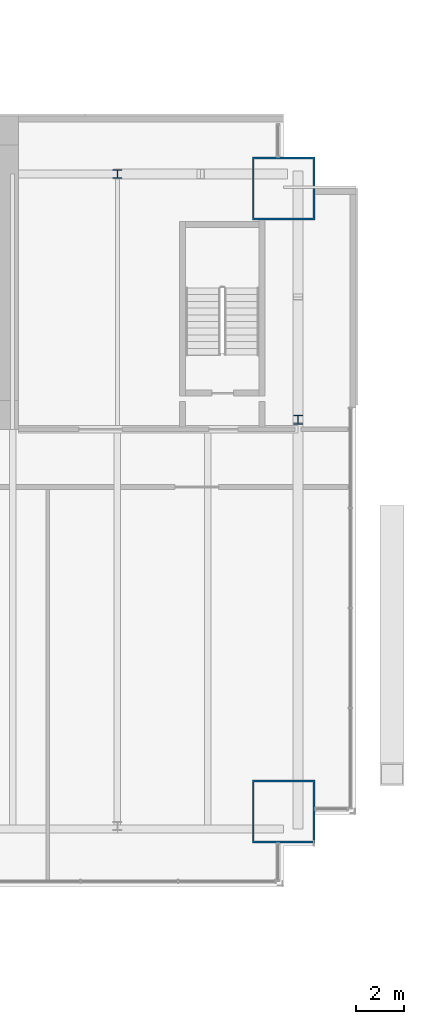
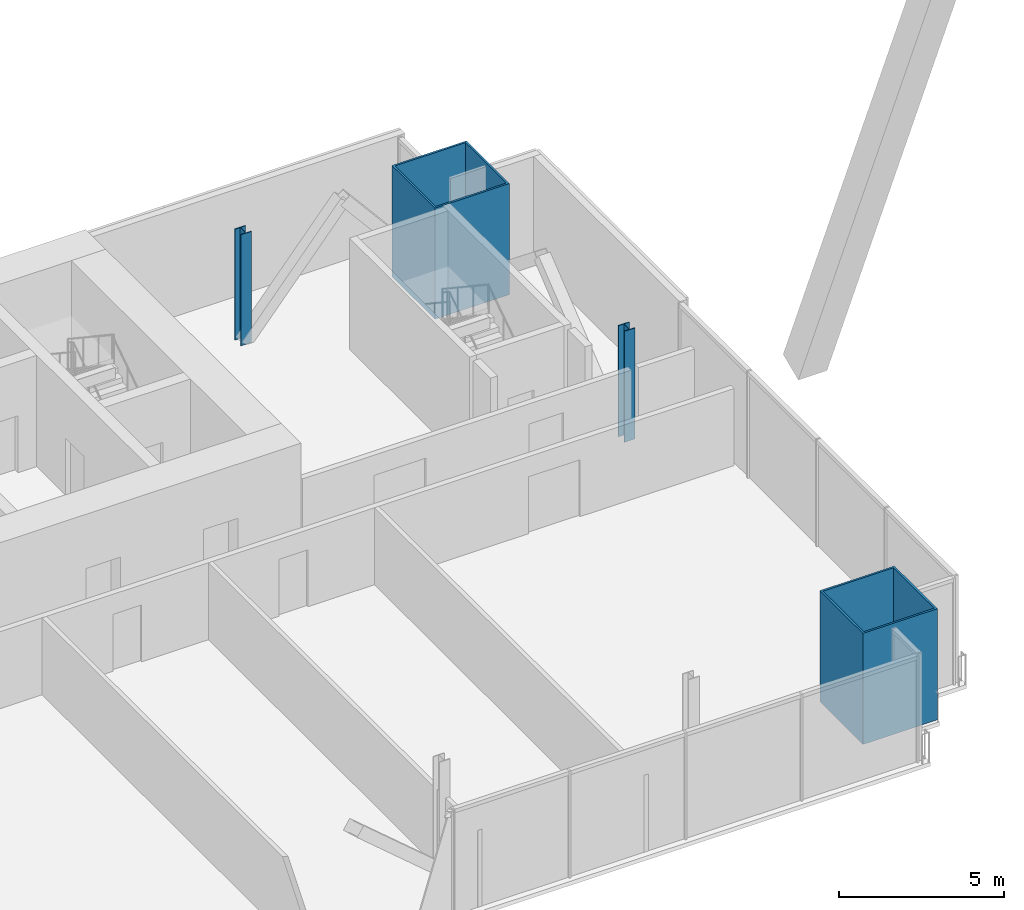
# One storey, part 4 of 24: 4 columns.
"""IFC4 building model written with IfcOpenShell, lengths in metres."""

import ifcopenshell
import ifcopenshell.guid

model = None  # the IFC model being written
_history = None  # IfcOwnerHistory: only IFC2X3 demands one
_inside = {}  # id of a spatial element -> (the spatial element, [elements in it])
_under = {}  # id of a project, library or spatial element -> (it, [spatial elements below it])
_declared = {}  # id of a project -> (the project, [libraries it declares])
_typed = {}  # id of a type object -> (the type object, [elements of that type])
_made_of = {}  # id of a material, layer set ... -> (it, [elements and type objects made of it])


def new_model(schema):
    """Start an empty IFC model of exactly this schema.

    Asked for "IFC4X3", IfcOpenShell would pick the latest addendum, in which some entities
    have other attributes; the version numbers below select the first issue.
    IFC2X3 requires an IfcOwnerHistory on every rooted entity: one is made here for all.
    """
    global model, _history
    if schema == "IFC4X3":
        model = ifcopenshell.file(schema_version=(4, 3, 0, 0))
    else:
        model = ifcopenshell.file(schema=schema)
    _inside.clear()
    _under.clear()
    _declared.clear()
    _typed.clear()
    _made_of.clear()
    _history = None
    if model.schema == "IFC2X3":
        org = make("IfcOrganization", Name="unknown")
        user = make(
            "IfcPersonAndOrganization",
            ThePerson=make("IfcPerson", FamilyName="unknown"),
            TheOrganization=org,
        )
        app = make(
            "IfcApplication",
            ApplicationDeveloper=org,
            Version="unknown",
            ApplicationFullName="unknown",
            ApplicationIdentifier="unknown",
        )
        _history = make(
            "IfcOwnerHistory",
            OwningUser=user,
            OwningApplication=app,
            ChangeAction="ADDED",
            CreationDate=0,
        )
    return model


def make(cls, **values):
    """One entity of the class cls with the attributes given. An attribute that is None is left unset."""
    return model.create_entity(
        cls, **{name: value for name, value in values.items() if value is not None}
    )


def rooted(cls, **values):
    """An entity with a GlobalId (a new one), such as an element, a storey or a relation."""
    return make(cls, GlobalId=ifcopenshell.guid.new(), OwnerHistory=_history, **values)


def si_unit(unit_type, name, prefix=None):
    """IfcSIUnit, for example si_unit("LENGTHUNIT", "METRE", prefix="MILLI")."""
    return make("IfcSIUnit", UnitType=unit_type, Prefix=prefix, Name=name)


def assignment(units):
    """IfcUnitAssignment: the units of a project."""
    return None if units is None else make("IfcUnitAssignment", Units=units)


def point(xyz):
    """IfcCartesianPoint."""
    return None if xyz is None else make("IfcCartesianPoint", Coordinates=xyz)


def direction(xyz):
    """IfcDirection."""
    return None if xyz is None else make("IfcDirection", DirectionRatios=xyz)


def frame(location, z_axis=None, x_axis=None):
    """IfcAxis2Placement3D, a coordinate frame: its origin and axes. An axis left out is left unset."""
    return make(
        "IfcAxis2Placement3D",
        Location=point(location),
        Axis=direction(z_axis),
        RefDirection=direction(x_axis),
    )


def frame_2d(location, x_axis=None):
    """IfcAxis2Placement2D, a coordinate frame in the plane: its origin and x axis."""
    return make(
        "IfcAxis2Placement2D", Location=point(location), RefDirection=direction(x_axis)
    )


def origin():
    """The frame at (0, 0, 0) with its axes left unset."""
    return frame((0.0, 0.0, 0.0))


def origin_2d():
    """The frame at (0, 0) in the plane with its x axis left unset."""
    return frame_2d((0.0, 0.0))


def place(relative_to, where):
    """IfcLocalPlacement: puts the frame where relative to a parent placement (None: the world)."""
    return make(
        "IfcLocalPlacement", PlacementRelTo=relative_to, RelativePlacement=where
    )


def context(
    kind, dimensions, precision=None, world=None, true_north=None, identifier=None
):
    """IfcGeometricRepresentationContext, for example the 3D "Model" context."""
    return make(
        "IfcGeometricRepresentationContext",
        ContextIdentifier=identifier,
        ContextType=kind,
        CoordinateSpaceDimension=dimensions,
        Precision=precision,
        WorldCoordinateSystem=world,
        TrueNorth=true_north,
    )


def subcontext(parent, identifier, kind, view, scale=None):
    """IfcGeometricRepresentationSubContext, for example "Body" below "Model"."""
    return make(
        "IfcGeometricRepresentationSubContext",
        ContextIdentifier=identifier,
        ContextType=kind,
        ParentContext=parent,
        TargetScale=scale,
        TargetView=view,
    )


def project(units=None, contexts=None):
    """IfcProject with its units and contexts."""
    return rooted(
        "IfcProject",
        Name="project",
        RepresentationContexts=contexts,
        UnitsInContext=assignment(units),
    )


def spatial(cls, under=None, at=None, **own):
    """A site, building, storey or space (cls), placed at a placement, below another one or the project."""
    s = rooted(cls, ObjectPlacement=at, **own)
    if under is not None:
        _under.setdefault(under.id(), (under, []))[1].append(s)
    return s


def profile(cls, at=None, kind="AREA", **sizes):
    """A parametric profile (cls). Its sizes go by their IFC names, for example OverallWidth=200.0."""
    return make(cls, ProfileType=kind, Position=at, **sizes)


def hollow_rectangle(**sizes):
    """IfcRectangleHollowProfileDef."""
    return profile("IfcRectangleHollowProfileDef", **sizes)


def i_section(**sizes):
    """IfcIShapeProfileDef."""
    return profile("IfcIShapeProfileDef", **sizes)


def extrude(swept, where, along, depth):
    """IfcExtrudedAreaSolid: the profile swept, set in the frame where, extruded along a direction by depth."""
    return make(
        "IfcExtrudedAreaSolid",
        SweptArea=swept,
        Position=where,
        ExtrudedDirection=direction(along),
        Depth=depth,
    )


def shape(context_of_items, identifier, shape_type, items):
    """IfcShapeRepresentation: the items that make up one representation, for example the "Body"."""
    return make(
        "IfcShapeRepresentation",
        ContextOfItems=context_of_items,
        RepresentationIdentifier=identifier,
        RepresentationType=shape_type,
        Items=items,
    )


def material(Name=None, Category=None):
    """IfcMaterial."""
    return make("IfcMaterial", Name=Name, Category=Category)


def material_profile(
    of_material, cross_section, Name=None, Category=None, Priority=None
):
    """IfcMaterialProfile: a cross section and its material."""
    return make(
        "IfcMaterialProfile",
        Name=Name,
        Material=of_material,
        Profile=cross_section,
        Priority=Priority,
        Category=Category,
    )


def profile_set(profiles, Name=None, composite=None):
    """IfcMaterialProfileSet."""
    return make(
        "IfcMaterialProfileSet",
        Name=Name,
        MaterialProfiles=profiles,
        CompositeProfile=composite,
    )


def made_of(thing, what):
    """Note that an element or type object is made of a material, layer set ...; save() writes the relation."""
    if what is not None:
        _made_of.setdefault(what.id(), (what, []))[1].append(thing)
    return thing


def type_object(cls, material=None, **own):
    """A type object (cls), such as IfcWallType, which elements share."""
    return made_of(rooted(cls, **own), material)


def element(
    cls,
    number,
    at=None,
    inside=None,
    cuts=None,
    type_object=None,
    material=None,
    context=None,
    identifier="Body",
    shape_type=None,
    held_by="IfcProductDefinitionShape",
    body=None,
    shapes=None,
    **own,
):
    """One element of the class cls, such as IfcWall. Its Tag is "e" and its number.

    at: its placement. inside: the storey or other place that contains it. cuts: it is an
    opening in that element (IfcRelVoidsElement). A single representation is given by context,
    identifier, shape_type and body (its items); several are given by shapes. held_by: the class
    of the entity that holds the representations. save() writes the other relations.
    """
    e = rooted(cls, Tag="e%d" % number, ObjectPlacement=at, **own)
    if body is not None:
        shapes = [shape(context, identifier, shape_type, body)]
    if shapes is not None:
        e.Representation = make(held_by, Representations=shapes)
    if inside is not None:
        _inside.setdefault(inside.id(), (inside, []))[1].append(e)
    if cuts is not None:
        rooted(
            "IfcRelVoidsElement", RelatingBuildingElement=cuts, RelatedOpeningElement=e
        )
    if type_object is not None:
        _typed.setdefault(type_object.id(), (type_object, []))[1].append(e)
    return made_of(e, material)


def aggregate(whole, parts):
    """IfcRelAggregates: a whole, such as a stair, and the parts it consists of."""
    return rooted("IfcRelAggregates", RelatingObject=whole, RelatedObjects=parts)


def save(model, path):
    """Write the relations noted so far, then the file.

    IfcRelAggregates (storeys below a building ...), IfcRelContainedInSpatialStructure (elements
    in a storey), IfcRelDefinesByType, IfcRelAssociatesMaterial and IfcRelDeclares: one each for
    every whole, place, type object, material and project.
    """
    for whole, parts in _under.values():
        aggregate(whole, parts)
    for where, things in _inside.values():
        rooted(
            "IfcRelContainedInSpatialStructure",
            RelatedElements=things,
            RelatingStructure=where,
        )
    for kind, things in _typed.values():
        rooted("IfcRelDefinesByType", RelatedObjects=things, RelatingType=kind)
    for what, things in _made_of.values():
        rooted("IfcRelAssociatesMaterial", RelatedObjects=things, RelatingMaterial=what)
    for by, libraries in _declared.values():
        rooted("IfcRelDeclares", RelatingContext=by, RelatedDefinitions=libraries)
    model.write(path)


model = new_model("IFC4")

# Units and contexts
model_context = context("Model", 3, precision=1e-05, world=origin(), true_north=direction((0.0, 1.0)))
body_context = subcontext(model_context, "Body", "Model", "MODEL_VIEW")
ifc_project = project(units=[si_unit("LENGTHUNIT", "METRE"), si_unit("AREAUNIT", "SQUARE_METRE"), si_unit("VOLUMEUNIT", "CUBIC_METRE"), si_unit("PLANEANGLEUNIT", "RADIAN"), si_unit("MASSUNIT", "GRAM", prefix="KILO")], contexts=[model_context])

# Site, building, storey
site_placement = place(None, origin())
site = spatial("IfcSite", under=ifc_project, at=site_placement, CompositionType="ELEMENT")
building_placement = place(site_placement, origin())
building = spatial("IfcBuilding", under=site, at=building_placement, Name="Bicima Exchange Tower", CompositionType="ELEMENT")
storey_placement = place(building_placement, frame((0.0, 0.0, 211.39990234375)))
storey = spatial("IfcBuildingStorey", under=building, at=storey_placement, Name="L47", CompositionType="ELEMENT", Elevation=211.39990234375)

# Columns
ifc_material_1 = material(Name="Steel ASTM A572 Gr 50", Category="steel")
ifc_material_profile_1 = material_profile(ifc_material_1, hollow_rectangle(XDim=2.60009765625, YDim=2.60009765625, WallThickness=0.070068359375, at=origin_2d()))
ifc_profile_set_1 = profile_set([ifc_material_profile_1], Name="Steel ASTM A572 Gr 50")
column_type_1 = type_object("IfcColumnType", Name="Mega column BOX 2600x2600x70", PredefinedType="COLUMN", material=ifc_profile_set_1)
for number, where, z_axis, x_axis, name in (
    (1, (33.0, -28.8740234375, 0.0), (0.0, 0.0, 1.0), (1.0, 0.0, 0.0), "Mega column mega+33.0f"),
    (2, (33.0, -3.0, 0.0), (0.0, 0.0, 1.0), (1.0, 0.0, 0.0), "Mega column mega+33.0r"),
):
    element("IfcColumn", number, at=place(storey_placement, frame(where, z_axis=z_axis, x_axis=x_axis)), inside=storey, type_object=column_type_1, Name=name, PredefinedType="COLUMN", context=body_context, shape_type="SweptSolid", body=[
        extrude(hollow_rectangle(XDim=2.60009765625, YDim=2.60009765625, WallThickness=0.070068359375, at=origin_2d()), origin(), (0.0, 0.0, 1.0), 4.10009765625),
    ])
ifc_material_2 = material(Name="Steel ASTM A992 Gr 50", Category="steel")
ifc_material_profile_2 = material_profile(ifc_material_2, i_section(OverallWidth=0.373291015625, OverallDepth=0.373291015625, WebThickness=0.016357421875, FlangeThickness=0.026123046875, at=origin_2d()))
ifc_profile_set_2 = profile_set([ifc_material_profile_2], Name="Steel ASTM A992 Gr 50")
column_type_2 = type_object("IfcColumnType", Name="Perimeter column W14x132", PredefinedType="COLUMN", material=ifc_profile_set_2)
for number, where, z_axis, x_axis, name in (
    (3, (26.10009765625, -2.39990234375, 0.0), (0.0, 0.0, 1.0), (1.0, 0.0, 0.0), "Perimeter column grav+26.1r"),
    (4, (33.60009765625, -12.60009765625, 0.0), (0.0, 0.0, 1.0), (1.0, 0.0, 0.0), "End column end+33.6e"),
):
    element("IfcColumn", number, at=place(storey_placement, frame(where, z_axis=z_axis, x_axis=x_axis)), inside=storey, type_object=column_type_2, Name=name, PredefinedType="COLUMN", context=body_context, shape_type="SweptSolid", body=[
        extrude(i_section(OverallWidth=0.373291015625, OverallDepth=0.373291015625, WebThickness=0.016357421875, FlangeThickness=0.026123046875, at=origin_2d()), origin(), (0.0, 0.0, 1.0), 4.10009765625),
    ])

save(model, "model.ifc")
